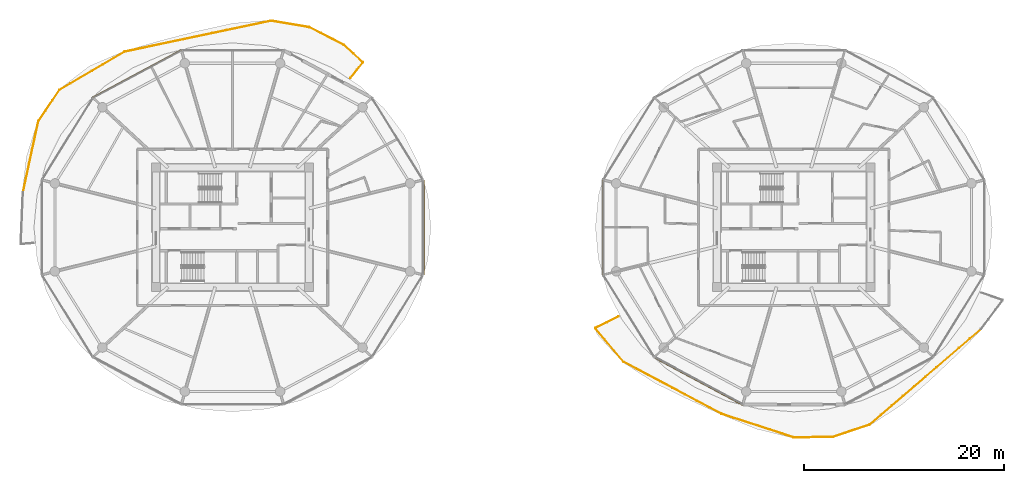
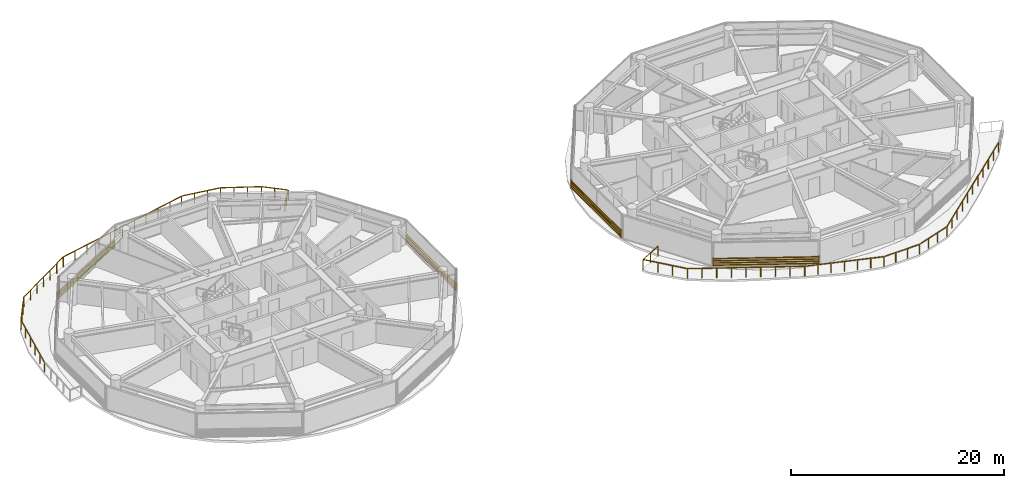
# One storey, part 23 of 25: 4 shading devices, 2 railings.
"""IFC4 building model written with IfcOpenShell, lengths in metres."""

from ifc_helpers import new_model, si_unit, direction, frame, origin, origin_2d, place, context, subcontext, project, spatial, rectangle, extrude, source, transform, mapped, material, type_object, type_shapes, element, save


model = new_model("IFC4")

# Units and contexts
model_context = context("Model", 3, precision=1e-05, world=origin(), true_north=direction((0.0, 1.0)))
body_context = subcontext(model_context, "Body", "Model", "MODEL_VIEW")
ifc_project = project(units=[si_unit("LENGTHUNIT", "METRE"), si_unit("AREAUNIT", "SQUARE_METRE"), si_unit("VOLUMEUNIT", "CUBIC_METRE"), si_unit("PLANEANGLEUNIT", "RADIAN"), si_unit("MASSUNIT", "GRAM", prefix="KILO")], contexts=[model_context])

# Site, building, storey
site_placement = place(None, origin())
site = spatial("IfcSite", under=ifc_project, at=site_placement, CompositionType="ELEMENT")
building_placement = place(site_placement, origin())
building = spatial("IfcBuilding", under=site, at=building_placement, Name="Norrkilde Senior Care Towers", CompositionType="ELEMENT")
storey_placement = place(building_placement, frame((0.0, 0.0, 27.699951171875)))
storey = spatial("IfcBuildingStorey", under=building, at=storey_placement, Name="L07", CompositionType="ELEMENT", Elevation=27.699951171875)

# Railings
ifc_material_1 = material(Name="Anodised Aluminium", Category="aluminium")
railing_type = type_object("IfcRailingType", Name="Balcony Swirl Ribbon Guardrail 1150", PredefinedType="GUARDRAIL", material=ifc_material_1)
railing_1_placement = place(storey_placement, frame((46.68798828125, -10.142822265625, 0.0)))
element("IfcRailing", 1, at=railing_1_placement, inside=storey, type_object=railing_type, Name="L07 Perimeter Safety Guard 01", PredefinedType="GUARDRAIL", context=body_context, shape_type="SweptSolid", body=[
    extrude(rectangle(XDim=0.048095703125, YDim=0.048095703125, at=origin_2d()), frame((0.0, 0.0, 1.1259765625), z_axis=(-0.758892973843, -0.651215367027, 0.0), x_axis=(0.651215367027, -0.758892973843, 0.0)), (0.0, 0.0, 1.0), 14.6083984375),
    extrude(rectangle(XDim=0.048095703125, YDim=0.048095703125, at=origin_2d()), frame((-11.156005859375, -9.552734375, 1.1259765625), z_axis=(-0.949167414845, -0.314771692813, 0.0), x_axis=(0.314771692813, -0.949167414845, 0.0)), (0.0, 0.0, 1.0), 3.79248046875),
    extrude(rectangle(XDim=0.048095703125, YDim=0.048095703125, at=origin_2d()), frame((-14.835205078125, -10.760009765625, 1.1259765625), z_axis=(-0.999875593966, -0.015773287291, 0.0), x_axis=(0.015773287291, -0.999875593966, 0.0)), (0.0, 0.0, 1.0), 3.80322265625),
    extrude(rectangle(XDim=0.048095703125, YDim=0.048095703125, at=origin_2d()), frame((-18.7177734375, -10.807861328125, 1.1259765625), z_axis=(-0.950660808757, 0.310232214146, 0.0), x_axis=(-0.310232214146, -0.950660808757, 0.0)), (0.0, 0.0, 1.0), 7.512451171875),
    extrude(rectangle(XDim=0.048095703125, YDim=0.048095703125, at=origin_2d()), frame((-25.9345703125, -8.445556640625, 1.1259765625), z_axis=(-0.883389005274, 0.468640443582, 0.0), x_axis=(-0.468640443582, -0.883389005274, 0.0)), (0.0, 0.0, 1.0), 10.958251953125),
    extrude(rectangle(XDim=0.048095703125, YDim=0.048095703125, at=origin_2d()), frame((-35.677490234375, -3.259521484375, 1.1259765625), z_axis=(-0.644324465499, 0.764752236453, 0.0), x_axis=(-0.764752236453, -0.644324465499, 0.0)), (0.0, 0.0, 1.0), 4.33984375),
    extrude(rectangle(XDim=0.048095703125, YDim=0.048095703125, at=origin_2d()), frame((-38.46337890625, 0.10888671875, 1.1259765625), z_axis=(0.893385405808, 0.449291126876, 0.0), x_axis=(-0.449291126876, 0.893385405808, 0.0)), (0.0, 0.0, 1.0), 2.54296875),
    extrude(rectangle(XDim=0.0419921875, YDim=0.0419921875, at=origin_2d()), origin(), (0.0, 0.0, 1.0), 1.099853515625),
    extrude(rectangle(XDim=0.0419921875, YDim=0.0419921875, at=origin_2d()), frame((-1.11181640625, -0.9541015625, 0.0)), (0.0, 0.0, 1.0), 1.099853515625),
    extrude(rectangle(XDim=0.0419921875, YDim=0.0419921875, at=origin_2d()), frame((-2.223388671875, -1.907958984375, 0.0)), (0.0, 0.0, 1.0), 1.099853515625),
    extrude(rectangle(XDim=0.0419921875, YDim=0.0419921875, at=origin_2d()), frame((-3.335205078125, -2.86181640625, 0.0)), (0.0, 0.0, 1.0), 1.099853515625),
    extrude(rectangle(XDim=0.0419921875, YDim=0.0419921875, at=origin_2d()), frame((-4.44677734375, -3.81591796875, 0.0)), (0.0, 0.0, 1.0), 1.099853515625),
    extrude(rectangle(XDim=0.0419921875, YDim=0.0419921875, at=origin_2d()), frame((-5.55859375, -4.77001953125, 0.0)), (0.0, 0.0, 1.0), 1.099853515625),
    extrude(rectangle(XDim=0.0419921875, YDim=0.0419921875, at=origin_2d()), frame((-6.67041015625, -5.723876953125, 0.0)), (0.0, 0.0, 1.0), 1.099853515625),
    extrude(rectangle(XDim=0.0419921875, YDim=0.0419921875, at=origin_2d()), frame((-7.781982421875, -6.677734375, 0.0)), (0.0, 0.0, 1.0), 1.099853515625),
    extrude(rectangle(XDim=0.0419921875, YDim=0.0419921875, at=origin_2d()), frame((-8.893798828125, -7.6318359375, 0.0)), (0.0, 0.0, 1.0), 1.099853515625),
    extrude(rectangle(XDim=0.0419921875, YDim=0.0419921875, at=origin_2d()), frame((-10.00537109375, -8.5859375, 0.0)), (0.0, 0.0, 1.0), 1.099853515625),
    extrude(rectangle(XDim=0.0419921875, YDim=0.0419921875, at=origin_2d()), frame((-11.1171875, -9.539794921875, 0.0)), (0.0, 0.0, 1.0), 1.099853515625),
    extrude(rectangle(XDim=0.0419921875, YDim=0.0419921875, at=origin_2d()), frame((-12.343017578125, -9.9462890625, 0.0)), (0.0, 0.0, 1.0), 1.099853515625),
    extrude(rectangle(XDim=0.0419921875, YDim=0.0419921875, at=origin_2d()), frame((-13.568603515625, -10.352783203125, 0.0)), (0.0, 0.0, 1.0), 1.099853515625),
    extrude(rectangle(XDim=0.0419921875, YDim=0.0419921875, at=origin_2d()), frame((-14.79443359375, -10.75927734375, 0.0)), (0.0, 0.0, 1.0), 1.099853515625),
    extrude(rectangle(XDim=0.0419921875, YDim=0.0419921875, at=origin_2d()), frame((-16.08935546875, -10.77978515625, 0.0)), (0.0, 0.0, 1.0), 1.099853515625),
    extrude(rectangle(XDim=0.0419921875, YDim=0.0419921875, at=origin_2d()), frame((-17.384033203125, -10.800048828125, 0.0)), (0.0, 0.0, 1.0), 1.099853515625),
    extrude(rectangle(XDim=0.0419921875, YDim=0.0419921875, at=origin_2d()), frame((-18.678955078125, -10.820556640625, 0.0)), (0.0, 0.0, 1.0), 1.099853515625),
    extrude(rectangle(XDim=0.0419921875, YDim=0.0419921875, at=origin_2d()), frame((-19.88232421875, -10.427978515625, 0.0)), (0.0, 0.0, 1.0), 1.099853515625),
    extrude(rectangle(XDim=0.0419921875, YDim=0.0419921875, at=origin_2d()), frame((-21.08544921875, -10.03515625, 0.0)), (0.0, 0.0, 1.0), 1.099853515625),
    extrude(rectangle(XDim=0.0419921875, YDim=0.0419921875, at=origin_2d()), frame((-22.28857421875, -9.642578125, 0.0)), (0.0, 0.0, 1.0), 1.099853515625),
    extrude(rectangle(XDim=0.0419921875, YDim=0.0419921875, at=origin_2d()), frame((-23.491943359375, -9.25, 0.0)), (0.0, 0.0, 1.0), 1.099853515625),
    extrude(rectangle(XDim=0.0419921875, YDim=0.0419921875, at=origin_2d()), frame((-24.6953125, -8.857177734375, 0.0)), (0.0, 0.0, 1.0), 1.099853515625),
    extrude(rectangle(XDim=0.0419921875, YDim=0.0419921875, at=origin_2d()), frame((-25.8984375, -8.464599609375, 0.0)), (0.0, 0.0, 1.0), 1.099853515625),
    extrude(rectangle(XDim=0.0419921875, YDim=0.0419921875, at=origin_2d()), frame((-27.117431640625, -7.81787109375, 0.0)), (0.0, 0.0, 1.0), 1.099853515625),
    extrude(rectangle(XDim=0.0419921875, YDim=0.0419921875, at=origin_2d()), frame((-28.336669921875, -7.171142578125, 0.0)), (0.0, 0.0, 1.0), 1.099853515625),
    extrude(rectangle(XDim=0.0419921875, YDim=0.0419921875, at=origin_2d()), frame((-29.5556640625, -6.5244140625, 0.0)), (0.0, 0.0, 1.0), 1.099853515625),
    extrude(rectangle(XDim=0.0419921875, YDim=0.0419921875, at=origin_2d()), frame((-30.77490234375, -5.877685546875, 0.0)), (0.0, 0.0, 1.0), 1.099853515625),
    extrude(rectangle(XDim=0.0419921875, YDim=0.0419921875, at=origin_2d()), frame((-31.993896484375, -5.23095703125, 0.0)), (0.0, 0.0, 1.0), 1.099853515625),
    extrude(rectangle(XDim=0.0419921875, YDim=0.0419921875, at=origin_2d()), frame((-33.212890625, -4.584228515625, 0.0)), (0.0, 0.0, 1.0), 1.099853515625),
    extrude(rectangle(XDim=0.0419921875, YDim=0.0419921875, at=origin_2d()), frame((-34.43212890625, -3.9375, 0.0)), (0.0, 0.0, 1.0), 1.099853515625),
    extrude(rectangle(XDim=0.0419921875, YDim=0.0419921875, at=origin_2d()), frame((-35.651123046875, -3.290771484375, 0.0)), (0.0, 0.0, 1.0), 1.099853515625),
    extrude(rectangle(XDim=0.0419921875, YDim=0.0419921875, at=origin_2d()), frame((-36.600830078125, -2.16357421875, 0.0)), (0.0, 0.0, 1.0), 1.099853515625),
    extrude(rectangle(XDim=0.0419921875, YDim=0.0419921875, at=origin_2d()), frame((-37.55029296875, -1.03662109375, 0.0)), (0.0, 0.0, 1.0), 1.099853515625),
    extrude(rectangle(XDim=0.0419921875, YDim=0.0419921875, at=origin_2d()), frame((-38.5, 0.090576171875, 0.0)), (0.0, 0.0, 1.0), 1.099853515625),
    extrude(rectangle(XDim=0.0419921875, YDim=0.0419921875, at=origin_2d()), frame((-37.345703125, 0.6708984375, 0.0)), (0.0, 0.0, 1.0), 1.099853515625),
    extrude(rectangle(XDim=0.0419921875, YDim=0.0419921875, at=origin_2d()), frame((-36.191650390625, 1.25146484375, 0.0)), (0.0, 0.0, 1.0), 1.099853515625),
])
railing_2_placement = place(storey_placement, frame((-48.9072265625, 3.470703125, 0.0)))
element("IfcRailing", 2, at=railing_2_placement, inside=storey, type_object=railing_type, Name="L07 Perimeter Safety Guard 03", PredefinedType="GUARDRAIL", context=body_context, shape_type="SweptSolid", body=[
    extrude(rectangle(XDim=0.048095703125, YDim=0.048095703125, at=origin_2d()), frame((0.0, 0.0, 1.1259765625), z_axis=(0.211227210038, 0.977436988117, 0.0), x_axis=(-0.977436988117, 0.211227210038, 0.0)), (0.0, 0.0, 1.0), 7.2431640625),
    extrude(rectangle(XDim=0.048095703125, YDim=0.048095703125, at=origin_2d()), frame((1.5615234375, 7.153564453125, 1.1259765625), z_axis=(0.560815195589, 0.827941010216, 0.0), x_axis=(-0.827941010216, 0.560815195589, 0.0)), (0.0, 0.0, 1.0), 3.6865234375),
    extrude(rectangle(XDim=0.048095703125, YDim=0.048095703125, at=origin_2d()), frame((3.68701171875, 10.26025390625, 1.1259765625), z_axis=(0.862379149838, 0.506262977044, 0.0), x_axis=(-0.506262977044, 0.862379149838, 0.0)), (0.0, 0.0, 1.0), 7.445068359375),
    extrude(rectangle(XDim=0.048095703125, YDim=0.048095703125, at=origin_2d()), frame((10.182861328125, 14.05859375, 1.1259765625), z_axis=(0.978428266595, 0.206586851293, 0.0), x_axis=(-0.206586851293, 0.978428266595, 0.0)), (0.0, 0.0, 1.0), 14.860595703125),
    extrude(rectangle(XDim=0.048095703125, YDim=0.048095703125, at=origin_2d()), frame((24.80322265625, 17.130126953125, 1.1259765625), z_axis=(0.98593714983, -0.167116535942, 0.0), x_axis=(0.167116535942, 0.98593714983, 0.0)), (0.0, 0.0, 1.0), 3.79248046875),
    extrude(rectangle(XDim=0.048095703125, YDim=0.048095703125, at=origin_2d()), frame((28.619140625, 16.470703125, 1.1259765625), z_axis=(0.889380520446, -0.457167682423, 0.0), x_axis=(0.457167682423, 0.889380520446, 0.0)), (0.0, 0.0, 1.0), 3.77294921875),
    extrude(rectangle(XDim=0.048095703125, YDim=0.048095703125, at=origin_2d()), frame((32.041259765625, 14.69970703125, 1.1259765625), z_axis=(0.737754315113, -0.675069307947, 0.0), x_axis=(0.675069307947, 0.737754315113, 0.0)), (0.0, 0.0, 1.0), 2.50048828125),
    extrude(rectangle(XDim=0.048095703125, YDim=0.048095703125, at=origin_2d()), frame((33.890625, 12.9521484375, 1.1259765625), z_axis=(-0.623175141646, -0.782082312058, 0.0), x_axis=(0.782082312058, -0.623175141646, 0.0)), (0.0, 0.0, 1.0), 1.91943359375),
    extrude(rectangle(XDim=0.0419921875, YDim=0.0419921875, at=origin_2d()), origin(), (0.0, 0.0, 1.0), 1.099853515625),
    extrude(rectangle(XDim=0.0419921875, YDim=0.0419921875, at=origin_2d()), frame((0.3076171875, 1.423828125, 0.0)), (0.0, 0.0, 1.0), 1.099853515625),
    extrude(rectangle(XDim=0.0419921875, YDim=0.0419921875, at=origin_2d()), frame((0.615478515625, 2.847900390625, 0.0)), (0.0, 0.0, 1.0), 1.099853515625),
    extrude(rectangle(XDim=0.0419921875, YDim=0.0419921875, at=origin_2d()), frame((0.923095703125, 4.271728515625, 0.0)), (0.0, 0.0, 1.0), 1.099853515625),
    extrude(rectangle(XDim=0.0419921875, YDim=0.0419921875, at=origin_2d()), frame((1.23095703125, 5.69580078125, 0.0)), (0.0, 0.0, 1.0), 1.099853515625),
    extrude(rectangle(XDim=0.0419921875, YDim=0.0419921875, at=origin_2d()), frame((1.53857421875, 7.11962890625, 0.0)), (0.0, 0.0, 1.0), 1.099853515625),
    extrude(rectangle(XDim=0.0419921875, YDim=0.0419921875, at=origin_2d()), frame((2.242919921875, 8.15966796875, 0.0)), (0.0, 0.0, 1.0), 1.099853515625),
    extrude(rectangle(XDim=0.0419921875, YDim=0.0419921875, at=origin_2d()), frame((2.947509765625, 9.199462890625, 0.0)), (0.0, 0.0, 1.0), 1.099853515625),
    extrude(rectangle(XDim=0.0419921875, YDim=0.0419921875, at=origin_2d()), frame((3.65185546875, 10.239501953125, 0.0)), (0.0, 0.0, 1.0), 1.099853515625),
    extrude(rectangle(XDim=0.0419921875, YDim=0.0419921875, at=origin_2d()), frame((4.733642578125, 10.87451171875, 0.0)), (0.0, 0.0, 1.0), 1.099853515625),
    extrude(rectangle(XDim=0.0419921875, YDim=0.0419921875, at=origin_2d()), frame((5.8154296875, 11.509765625, 0.0)), (0.0, 0.0, 1.0), 1.099853515625),
    extrude(rectangle(XDim=0.0419921875, YDim=0.0419921875, at=origin_2d()), frame((6.8974609375, 12.144775390625, 0.0)), (0.0, 0.0, 1.0), 1.099853515625),
    extrude(rectangle(XDim=0.0419921875, YDim=0.0419921875, at=origin_2d()), frame((7.979248046875, 12.77978515625, 0.0)), (0.0, 0.0, 1.0), 1.099853515625),
    extrude(rectangle(XDim=0.0419921875, YDim=0.0419921875, at=origin_2d()), frame((9.06103515625, 13.4150390625, 0.0)), (0.0, 0.0, 1.0), 1.099853515625),
    extrude(rectangle(XDim=0.0419921875, YDim=0.0419921875, at=origin_2d()), frame((10.142822265625, 14.050048828125, 0.0)), (0.0, 0.0, 1.0), 1.099853515625),
    extrude(rectangle(XDim=0.0419921875, YDim=0.0419921875, at=origin_2d()), frame((11.604736328125, 14.358642578125, 0.0)), (0.0, 0.0, 1.0), 1.099853515625),
    extrude(rectangle(XDim=0.0419921875, YDim=0.0419921875, at=origin_2d()), frame((13.06689453125, 14.66748046875, 0.0)), (0.0, 0.0, 1.0), 1.099853515625),
    extrude(rectangle(XDim=0.0419921875, YDim=0.0419921875, at=origin_2d()), frame((14.52880859375, 14.97607421875, 0.0)), (0.0, 0.0, 1.0), 1.099853515625),
    extrude(rectangle(XDim=0.0419921875, YDim=0.0419921875, at=origin_2d()), frame((15.990966796875, 15.284912109375, 0.0)), (0.0, 0.0, 1.0), 1.099853515625),
    extrude(rectangle(XDim=0.0419921875, YDim=0.0419921875, at=origin_2d()), frame((17.452880859375, 15.593505859375, 0.0)), (0.0, 0.0, 1.0), 1.099853515625),
    extrude(rectangle(XDim=0.0419921875, YDim=0.0419921875, at=origin_2d()), frame((18.914794921875, 15.902099609375, 0.0)), (0.0, 0.0, 1.0), 1.099853515625),
    extrude(rectangle(XDim=0.0419921875, YDim=0.0419921875, at=origin_2d()), frame((20.376953125, 16.2109375, 0.0)), (0.0, 0.0, 1.0), 1.099853515625),
    extrude(rectangle(XDim=0.0419921875, YDim=0.0419921875, at=origin_2d()), frame((21.8388671875, 16.51953125, 0.0)), (0.0, 0.0, 1.0), 1.099853515625),
    extrude(rectangle(XDim=0.0419921875, YDim=0.0419921875, at=origin_2d()), frame((23.301025390625, 16.828369140625, 0.0)), (0.0, 0.0, 1.0), 1.099853515625),
    extrude(rectangle(XDim=0.0419921875, YDim=0.0419921875, at=origin_2d()), frame((24.762939453125, 17.136962890625, 0.0)), (0.0, 0.0, 1.0), 1.099853515625),
    extrude(rectangle(XDim=0.0419921875, YDim=0.0419921875, at=origin_2d()), frame((26.0361328125, 16.921142578125, 0.0)), (0.0, 0.0, 1.0), 1.099853515625),
    extrude(rectangle(XDim=0.0419921875, YDim=0.0419921875, at=origin_2d()), frame((27.3095703125, 16.705322265625, 0.0)), (0.0, 0.0, 1.0), 1.099853515625),
    extrude(rectangle(XDim=0.0419921875, YDim=0.0419921875, at=origin_2d()), frame((28.582763671875, 16.489501953125, 0.0)), (0.0, 0.0, 1.0), 1.099853515625),
    extrude(rectangle(XDim=0.0419921875, YDim=0.0419921875, at=origin_2d()), frame((29.7255859375, 15.902099609375, 0.0)), (0.0, 0.0, 1.0), 1.099853515625),
    extrude(rectangle(XDim=0.0419921875, YDim=0.0419921875, at=origin_2d()), frame((30.8681640625, 15.314697265625, 0.0)), (0.0, 0.0, 1.0), 1.099853515625),
    extrude(rectangle(XDim=0.0419921875, YDim=0.0419921875, at=origin_2d()), frame((32.010986328125, 14.727294921875, 0.0)), (0.0, 0.0, 1.0), 1.099853515625),
    extrude(rectangle(XDim=0.0419921875, YDim=0.0419921875, at=origin_2d()), frame((32.96337890625, 13.855712890625, 0.0)), (0.0, 0.0, 1.0), 1.099853515625),
    extrude(rectangle(XDim=0.0419921875, YDim=0.0419921875, at=origin_2d()), frame((33.916015625, 12.984130859375, 0.0)), (0.0, 0.0, 1.0), 1.099853515625),
    extrude(rectangle(XDim=0.0419921875, YDim=0.0419921875, at=origin_2d()), frame((33.30517578125, 12.217529296875, 0.0)), (0.0, 0.0, 1.0), 1.099853515625),
    extrude(rectangle(XDim=0.0419921875, YDim=0.0419921875, at=origin_2d()), frame((32.6943359375, 11.450927734375, 0.0)), (0.0, 0.0, 1.0), 1.099853515625),
])

# Shading devices
ifc_material_2 = material(Name="Architectural Terracotta", Category="masonry")
shading_device_type = type_object("IfcShadingDeviceType", Name="Horizontal Terracotta Baguette Rack", PredefinedType="USERDEFINED", material=ifc_material_2)
shared_shape_1 = source(origin(), body_context, "Body", "SweptSolid", [
    extrude(rectangle(XDim=0.070068359375, YDim=0.110107421875, at=origin_2d()), frame((0.0, 0.090087890625, 0.125), z_axis=(1.0, 0.0, 0.0), x_axis=(0.0, 1.0, 0.0)), (0.0, 0.0, 1.0), 10.0107421875),
    extrude(rectangle(XDim=0.070068359375, YDim=0.110107421875, at=origin_2d()), frame((0.0, 0.090087890625, 0.375), z_axis=(1.0, 0.0, 0.0), x_axis=(0.0, 1.0, 0.0)), (0.0, 0.0, 1.0), 10.0107421875),
    extrude(rectangle(XDim=0.070068359375, YDim=0.110107421875, at=origin_2d()), frame((0.0, 0.090087890625, 0.625), z_axis=(1.0, 0.0, 0.0), x_axis=(0.0, 1.0, 0.0)), (0.0, 0.0, 1.0), 10.0107421875),
    extrude(rectangle(XDim=0.070068359375, YDim=0.110107421875, at=origin_2d()), frame((0.0, 0.090087890625, 0.875), z_axis=(1.0, 0.0, 0.0), x_axis=(0.0, 1.0, 0.0)), (0.0, 0.0, 1.0), 10.0107421875),
    extrude(rectangle(XDim=0.050048828125, YDim=0.1552734375, at=origin_2d()), frame((0.02490234375, 0.047607421875, 0.0)), (0.0, 0.0, 1.0), 1.0),
    extrude(rectangle(XDim=0.050048828125, YDim=0.1552734375, at=origin_2d()), frame((9.98583984375, 0.047607421875, 0.0)), (0.0, 0.0, 1.0), 1.0),
])
for number, where, z_axis, x_axis, name in (
    (3, (-41.915771484375, 12.926025390625, 0.080078125), (0.0, 0.0, 1.0), (0.881279875134, 0.472612428056, 0.0), "L07 Drum W Terracotta Baguette Screen 03"),
    (4, (22.906494140625, -17.6572265625, 0.080078125), (0.0, 0.0, 1.0), (-0.881279875134, 0.472612428056, 0.0), "L07 Drum E Terracotta Baguette Screen 07"),
):
    element("IfcShadingDevice", number, at=place(storey_placement, frame(where, z_axis=z_axis, x_axis=x_axis)), inside=storey, type_object=shading_device_type, Name=name, ObjectType="BAGUETTE", PredefinedType="USERDEFINED", context=body_context, shape_type="MappedRepresentation", body=[
        mapped(shared_shape_1, transform((0.0, 0.0, 0.0), x_axis=(1.0, 0.0, 0.0), y_axis=(0.0, 1.0, 0.0), z_axis=(0.0, 0.0, 1.0), scale=1.0)),
    ])
shared_shape_2 = source(origin(), body_context, "Body", "SweptSolid", [
    extrude(rectangle(XDim=0.070068359375, YDim=0.110107421875, at=origin_2d()), frame((0.0, 0.090087890625, 0.125), z_axis=(1.0, 0.0, 0.0), x_axis=(0.0, 1.0, 0.0)), (0.0, 0.0, 1.0), 9.46240234375),
    extrude(rectangle(XDim=0.070068359375, YDim=0.110107421875, at=origin_2d()), frame((0.0, 0.090087890625, 0.375), z_axis=(1.0, 0.0, 0.0), x_axis=(0.0, 1.0, 0.0)), (0.0, 0.0, 1.0), 9.46240234375),
    extrude(rectangle(XDim=0.070068359375, YDim=0.110107421875, at=origin_2d()), frame((0.0, 0.090087890625, 0.625), z_axis=(1.0, 0.0, 0.0), x_axis=(0.0, 1.0, 0.0)), (0.0, 0.0, 1.0), 9.46240234375),
    extrude(rectangle(XDim=0.070068359375, YDim=0.110107421875, at=origin_2d()), frame((0.0, 0.090087890625, 0.875), z_axis=(1.0, 0.0, 0.0), x_axis=(0.0, 1.0, 0.0)), (0.0, 0.0, 1.0), 9.46240234375),
    extrude(rectangle(XDim=0.050048828125, YDim=0.1552734375, at=origin_2d()), frame((0.02490234375, 0.047607421875, 0.0)), (0.0, 0.0, 1.0), 1.0),
    extrude(rectangle(XDim=0.050048828125, YDim=0.1552734375, at=origin_2d()), frame((9.4375, 0.047607421875, 0.0)), (0.0, 0.0, 1.0), 1.0),
])
type_shapes(shading_device_type, [shared_shape_1, shared_shape_2])
for number, where, z_axis, x_axis, name in (
    (5, (-8.990478515625, 4.731201171875, 0.080078125), (0.0, 0.0, 1.0), (0.0, -1.0, 0.0), "L07 Drum W Terracotta Baguette Screen 11"),
    (6, (8.990478515625, -4.731201171875, 0.080078125), (0.0, 0.0, 1.0), (0.0, 1.0, 0.0), "L07 Drum E Terracotta Baguette Screen 05"),
):
    element("IfcShadingDevice", number, at=place(storey_placement, frame(where, z_axis=z_axis, x_axis=x_axis)), inside=storey, type_object=shading_device_type, Name=name, ObjectType="BAGUETTE", PredefinedType="USERDEFINED", context=body_context, shape_type="MappedRepresentation", body=[
        mapped(shared_shape_2, transform((0.0, 0.0, 0.0), x_axis=(1.0, 0.0, 0.0), y_axis=(0.0, 1.0, 0.0), z_axis=(0.0, 0.0, 1.0), scale=1.0)),
    ])

save(model, "model.ifc")
